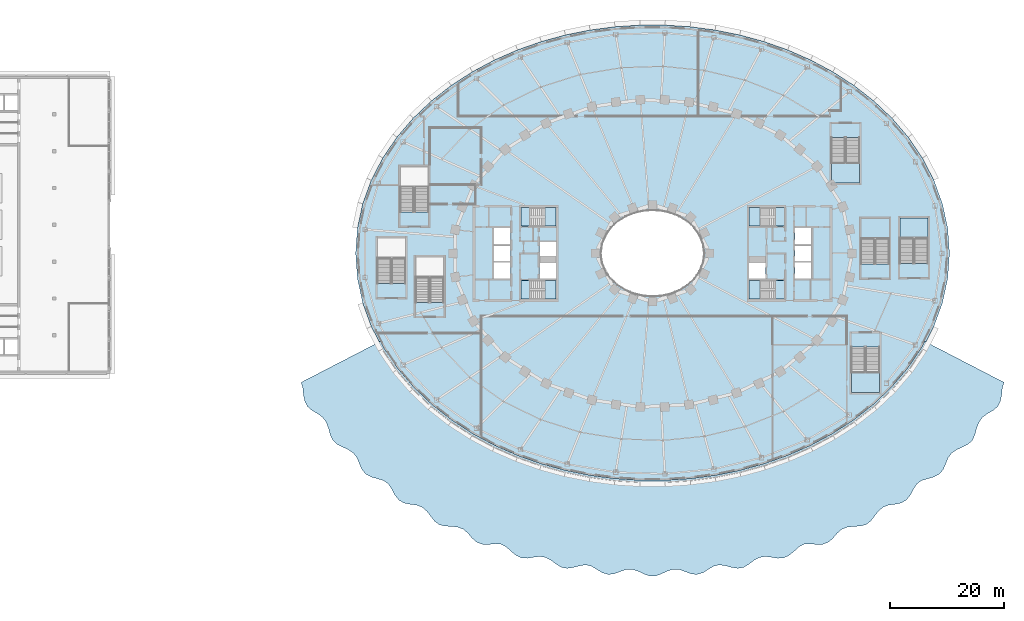
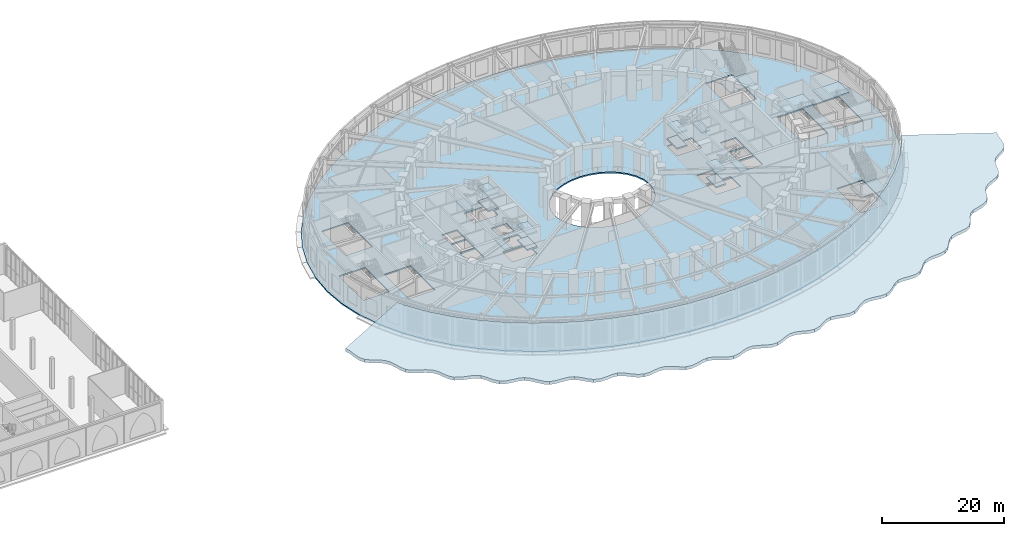
# One storey, part 16 of 74: 18 slabs, 8 elements without a shape of their own.
"""IFC4 building model written with IfcOpenShell, lengths in metres."""

from ifc_helpers import new_model, si_unit, direction, frame, origin, place, context, subcontext, project, spatial, polyline, outline, extrude, material, layer, layer_set, type_object, element, aggregate, save


model = new_model("IFC4")

# Units and contexts
model_context = context("Model", 3, precision=1e-05, world=origin(), true_north=direction((0.0, 1.0)))
body_context = subcontext(model_context, "Body", "Model", "MODEL_VIEW")
ifc_project = project(units=[si_unit("LENGTHUNIT", "METRE"), si_unit("AREAUNIT", "SQUARE_METRE"), si_unit("VOLUMEUNIT", "CUBIC_METRE"), si_unit("PLANEANGLEUNIT", "RADIAN"), si_unit("MASSUNIT", "GRAM", prefix="KILO")], contexts=[model_context])

# Site, building, storey
site_placement = place(None, origin())
site = spatial("IfcSite", under=ifc_project, at=site_placement, CompositionType="ELEMENT")
building_placement = place(site_placement, origin())
building = spatial("IfcBuilding", under=site, at=building_placement, Name="Noorbagh Ring Tower", CompositionType="ELEMENT")
storey_placement = place(building_placement, frame((0.0, 0.0, 7.5)))
storey = spatial("IfcBuildingStorey", under=building, at=storey_placement, Name="L01", CompositionType="ELEMENT", Elevation=7.5)

# Stair, slabs
ifc_material_1 = material(Name="Concrete C40/50", Category="concrete")
stair_type_1 = type_object("IfcStairType", Name="CORE-STAIR", PredefinedType="HALF_TURN_STAIR", material=ifc_material_1)
stair_1_placement = place(storey_placement, origin())
stair_1 = element("IfcStair", 1, at=stair_1_placement, inside=storey, type_object=stair_type_1, Name="L01 Exit stair ST1", PredefinedType="HALF_TURN_STAIR")
ifc_material_2 = material(Name="Concrete C40/50", Category="concrete")
ifc_layer_1 = layer(ifc_material_2, 0.300048828125)
ifc_layer_set_1 = layer_set([ifc_layer_1], Name="Concrete C40/50")
slab_type_1 = type_object("IfcSlabType", Name="CORE-STAIR-LANDING", PredefinedType="LANDING", material=ifc_layer_set_1)
slab_1_placement = place(storey_placement, frame((0.0, 0.0, 1.199951171875)))
slab_1 = element("IfcSlab", 2, at=slab_1_placement, type_object=slab_type_1, Name="ST1 landing 1", PredefinedType="LANDING", context=body_context, shape_type="SweptSolid", body=[
    extrude(outline(polyline([(-18.81005859375, 4.75), (-16.89990234375, 4.75), (-16.89990234375, 8.0), (-18.81005859375, 8.0), (-18.81005859375, 4.75)])), origin(), (0.0, 0.0, 1.0), 0.300048828125),
])
slab_2_placement = place(storey_placement, frame((0.0, 0.0, 2.699951171875)))
slab_2 = element("IfcSlab", 3, at=slab_2_placement, type_object=slab_type_1, Name="ST1 landing 2", PredefinedType="LANDING", context=body_context, shape_type="SweptSolid", body=[
    extrude(outline(polyline([(-23.080078125, 4.75), (-21.530029296875, 4.75), (-21.530029296875, 8.0), (-23.080078125, 8.0), (-23.080078125, 4.75)])), origin(), (0.0, 0.0, 1.0), 0.300048828125),
])
slab_3_placement = place(storey_placement, frame((0.0, 0.0, 4.199951171875)))
slab_3 = element("IfcSlab", 4, at=slab_3_placement, type_object=slab_type_1, Name="ST1 landing 3", PredefinedType="LANDING", context=body_context, shape_type="SweptSolid", body=[
    extrude(outline(polyline([(-18.81005859375, 4.75), (-16.89990234375, 4.75), (-16.89990234375, 8.0), (-18.81005859375, 8.0), (-18.81005859375, 4.75)])), origin(), (0.0, 0.0, 1.0), 0.300048828125),
])
aggregate(stair_1, [slab_1, slab_2, slab_3])

stair_2_placement = place(storey_placement, origin())
stair_2 = element("IfcStair", 5, at=stair_2_placement, inside=storey, type_object=stair_type_1, Name="L01 Exit stair ST2", PredefinedType="HALF_TURN_STAIR")
slab_4_placement = place(storey_placement, frame((0.0, 0.0, 1.199951171875)))
slab_4 = element("IfcSlab", 6, at=slab_4_placement, type_object=slab_type_1, Name="ST2 landing 1", PredefinedType="LANDING", context=body_context, shape_type="SweptSolid", body=[
    extrude(outline(polyline([(-18.81005859375, -8.0), (-16.89990234375, -8.0), (-16.89990234375, -4.75), (-18.81005859375, -4.75), (-18.81005859375, -8.0)])), origin(), (0.0, 0.0, 1.0), 0.300048828125),
])
slab_5_placement = place(storey_placement, frame((0.0, 0.0, 2.699951171875)))
slab_5 = element("IfcSlab", 7, at=slab_5_placement, type_object=slab_type_1, Name="ST2 landing 2", PredefinedType="LANDING", context=body_context, shape_type="SweptSolid", body=[
    extrude(outline(polyline([(-23.080078125, -8.0), (-21.530029296875, -8.0), (-21.530029296875, -4.75), (-23.080078125, -4.75), (-23.080078125, -8.0)])), origin(), (0.0, 0.0, 1.0), 0.300048828125),
])
slab_6_placement = place(storey_placement, frame((0.0, 0.0, 4.199951171875)))
slab_6 = element("IfcSlab", 8, at=slab_6_placement, type_object=slab_type_1, Name="ST2 landing 3", PredefinedType="LANDING", context=body_context, shape_type="SweptSolid", body=[
    extrude(outline(polyline([(-18.81005859375, -8.0), (-16.89990234375, -8.0), (-16.89990234375, -4.75), (-18.81005859375, -4.75), (-18.81005859375, -8.0)])), origin(), (0.0, 0.0, 1.0), 0.300048828125),
])
aggregate(stair_2, [slab_4, slab_5, slab_6])

stair_3_placement = place(storey_placement, origin())
stair_3 = element("IfcStair", 9, at=stair_3_placement, inside=storey, type_object=stair_type_1, Name="L01 Exit stair ST3", PredefinedType="HALF_TURN_STAIR")
slab_7_placement = place(storey_placement, frame((0.0, 0.0, 1.199951171875)))
slab_7 = element("IfcSlab", 10, at=slab_7_placement, type_object=slab_type_1, Name="ST3 landing 1", PredefinedType="LANDING", context=body_context, shape_type="SweptSolid", body=[
    extrude(outline(polyline([(18.81005859375, 8.0), (16.89990234375, 8.0), (16.89990234375, 4.75), (18.81005859375, 4.75), (18.81005859375, 8.0)])), origin(), (0.0, 0.0, 1.0), 0.300048828125),
])
slab_8_placement = place(storey_placement, frame((0.0, 0.0, 2.699951171875)))
slab_8 = element("IfcSlab", 11, at=slab_8_placement, type_object=slab_type_1, Name="ST3 landing 2", PredefinedType="LANDING", context=body_context, shape_type="SweptSolid", body=[
    extrude(outline(polyline([(23.080078125, 8.0), (21.530029296875, 8.0), (21.530029296875, 4.75), (23.080078125, 4.75), (23.080078125, 8.0)])), origin(), (0.0, 0.0, 1.0), 0.300048828125),
])
slab_9_placement = place(storey_placement, frame((0.0, 0.0, 4.199951171875)))
slab_9 = element("IfcSlab", 12, at=slab_9_placement, type_object=slab_type_1, Name="ST3 landing 3", PredefinedType="LANDING", context=body_context, shape_type="SweptSolid", body=[
    extrude(outline(polyline([(18.81005859375, 8.0), (16.89990234375, 8.0), (16.89990234375, 4.75), (18.81005859375, 4.75), (18.81005859375, 8.0)])), origin(), (0.0, 0.0, 1.0), 0.300048828125),
])
aggregate(stair_3, [slab_7, slab_8, slab_9])

stair_4_placement = place(storey_placement, origin())
stair_4 = element("IfcStair", 13, at=stair_4_placement, inside=storey, type_object=stair_type_1, Name="L01 Exit stair ST4", PredefinedType="HALF_TURN_STAIR")
slab_10_placement = place(storey_placement, frame((0.0, 0.0, 1.199951171875)))
slab_10 = element("IfcSlab", 14, at=slab_10_placement, type_object=slab_type_1, Name="ST4 landing 1", PredefinedType="LANDING", context=body_context, shape_type="SweptSolid", body=[
    extrude(outline(polyline([(18.81005859375, -4.75), (16.89990234375, -4.75), (16.89990234375, -8.0), (18.81005859375, -8.0), (18.81005859375, -4.75)])), origin(), (0.0, 0.0, 1.0), 0.300048828125),
])
slab_11_placement = place(storey_placement, frame((0.0, 0.0, 2.699951171875)))
slab_11 = element("IfcSlab", 15, at=slab_11_placement, type_object=slab_type_1, Name="ST4 landing 2", PredefinedType="LANDING", context=body_context, shape_type="SweptSolid", body=[
    extrude(outline(polyline([(23.080078125, -4.75), (21.530029296875, -4.75), (21.530029296875, -8.0), (23.080078125, -8.0), (23.080078125, -4.75)])), origin(), (0.0, 0.0, 1.0), 0.300048828125),
])
slab_12_placement = place(storey_placement, frame((0.0, 0.0, 4.199951171875)))
slab_12 = element("IfcSlab", 16, at=slab_12_placement, type_object=slab_type_1, Name="ST4 landing 3", PredefinedType="LANDING", context=body_context, shape_type="SweptSolid", body=[
    extrude(outline(polyline([(18.81005859375, -4.75), (16.89990234375, -4.75), (16.89990234375, -8.0), (18.81005859375, -8.0), (18.81005859375, -4.75)])), origin(), (0.0, 0.0, 1.0), 0.300048828125),
])
aggregate(stair_4, [slab_10, slab_11, slab_12])

# Slab
ifc_material_3 = material(Name="Concrete C40/50", Category="concrete")
ifc_layer_2 = layer(ifc_material_3, 0.60009765625)
ifc_layer_set_2 = layer_set([ifc_layer_2], Name="Concrete C40/50")
slab_type_2 = type_object("IfcSlabType", Name="GND-CANOPY-ROOF", PredefinedType="ROOF", material=ifc_layer_set_2)
slab_13_placement = place(storey_placement, frame((0.0, 0.0, 4.949951171875)))
element("IfcSlab", 17, at=slab_13_placement, inside=storey, type_object=slab_type_2, Name="Entrance canopy roof", PredefinedType="ROOF", context=body_context, shape_type="SweptSolid", body=[
    extrude(outline(polyline([(-61.54150390625, -22.589599609375), (-61.2568359375, -23.56982421875), (-61.143310546875, -24.74755859375), (-60.88818359375, -25.95751953125), (-60.40869140625, -26.851806640625), (-59.613037109375, -27.521728515625), (-58.650146484375, -28.077880859375), (-57.78271484375, -28.69921875), (-57.161865234375, -29.56103515625), (-56.744384765625, -30.654296875), (-56.4599609375, -31.730224609375), (-56.03369140625, -32.68408203125), (-55.316650390625, -33.388671875), (-54.3515625, -33.880126953125), (-53.28271484375, -34.37890625), (-52.3583984375, -34.994873046875), (-51.7529296875, -35.8125), (-51.33837890625, -36.831298828125), (-50.908935546875, -37.83447265625), (-50.268798828125, -38.614990234375), (-49.236083984375, -39.1728515625), (-48.09765625, -39.487060546875), (-47.0732421875, -39.802490234375), (-46.263916015625, -40.39306640625), (-45.68212890625, -41.27587890625), (-45.17919921875, -42.280517578125), (-44.407470703125, -43.21533203125), (-43.50830078125, -43.7294921875), (-42.44970703125, -43.9365234375), (-41.351318359375, -44.08203125), (-40.38232421875, -44.427490234375), (-39.574951171875, -45.11376953125), (-38.8466796875, -46.04541015625), (-38.17138671875, -46.907470703125), (-37.357177734375, -47.509033203125), (-36.3583984375, -47.7646484375), (-35.250732421875, -47.81640625), (-34.081787109375, -47.95068359375), (-33.12548828125, -48.319580078125), (-32.337158203125, -49.01611328125), (-31.614013671875, -49.863037109375), (-30.828857421875, -50.56689453125), (-29.820556640625, -50.943359375), (-28.648193359375, -50.9716796875), (-27.544921875, -50.8525390625), (-26.515869140625, -50.944580078125), (-25.6162109375, -51.406005859375), (-24.81640625, -52.15087890625), (-23.849365234375, -52.925537109375), (-22.9228515625, -53.352783203125), (-21.897216796875, -53.3984375), (-20.806884765625, -53.2080078125), (-19.733642578125, -53.07958984375), (-18.684814453125, -53.2666015625), (-17.728759765625, -53.783935546875), (-16.84228515625, -54.45703125), (-15.927978515625, -54.9931640625), (-14.94189453125, -55.1689453125), (-13.84765625, -54.997802734375), (-12.689697265625, -54.690673828125), (-11.6611328125, -54.552001953125), (-10.683349609375, -54.798095703125), (-9.746337890625, -55.353515625), (-8.813232421875, -55.938720703125), (-7.67333984375, -56.241943359375), (-6.658203125, -56.10107421875), (-5.62841796875, -55.701904296875), (-4.601806640625, -55.350341796875), (-3.59619140625, -55.3203125), (-2.541259765625, -55.65771484375), (-1.502197265625, -56.152099609375), (-0.500732421875, -56.5126953125), (0.500732421875, -56.5126953125), (1.502197265625, -56.152099609375), (2.541259765625, -55.65771484375), (3.59619140625, -55.3203125), (4.601806640625, -55.350341796875), (5.62841796875, -55.701904296875), (6.658203125, -56.10107421875), (7.67333984375, -56.241943359375), (8.813232421875, -55.938720703125), (9.746337890625, -55.353515625), (10.683349609375, -54.798095703125), (11.6611328125, -54.552001953125), (12.689697265625, -54.690673828125), (13.84765625, -54.997802734375), (14.94189453125, -55.1689453125), (15.927978515625, -54.9931640625), (16.84228515625, -54.45703125), (17.728759765625, -53.783935546875), (18.684814453125, -53.2666015625), (19.733642578125, -53.07958984375), (20.806884765625, -53.2080078125), (21.897216796875, -53.3984375), (22.9228515625, -53.352783203125), (23.849365234375, -52.925537109375), (24.81640625, -52.15087890625), (25.6162109375, -51.406005859375), (26.515869140625, -50.944580078125), (27.544921875, -50.8525390625), (28.648193359375, -50.9716796875), (29.820556640625, -50.943359375), (30.828857421875, -50.56689453125), (31.614013671875, -49.863037109375), (32.337158203125, -49.01611328125), (33.12548828125, -48.319580078125), (34.081787109375, -47.95068359375), (35.250732421875, -47.81640625), (36.3583984375, -47.7646484375), (37.357177734375, -47.509033203125), (38.17138671875, -46.907470703125), (38.8466796875, -46.04541015625), (39.574951171875, -45.11376953125), (40.38232421875, -44.427490234375), (41.351318359375, -44.08203125), (42.44970703125, -43.9365234375), (43.50830078125, -43.7294921875), (44.407470703125, -43.21533203125), (45.17919921875, -42.280517578125), (45.68212890625, -41.27587890625), (46.263916015625, -40.39306640625), (47.0732421875, -39.802490234375), (48.09765625, -39.487060546875), (49.236083984375, -39.1728515625), (50.268798828125, -38.614990234375), (50.908935546875, -37.83447265625), (51.33837890625, -36.831298828125), (51.7529296875, -35.8125), (52.3583984375, -34.994873046875), (53.28271484375, -34.37890625), (54.3515625, -33.880126953125), (55.316650390625, -33.388671875), (56.03369140625, -32.68408203125), (56.4599609375, -31.730224609375), (56.744384765625, -30.654296875), (57.161865234375, -29.56103515625), (57.78271484375, -28.69921875), (58.650146484375, -28.077880859375), (59.613037109375, -27.521728515625), (60.40869140625, -26.851806640625), (60.88818359375, -25.95751953125), (61.143310546875, -24.74755859375), (61.2568359375, -23.56982421875), (61.54150390625, -22.589599609375), (47.6396484375, -15.402099609375), (47.1796875, -16.2919921875), (47.028076171875, -16.585205078125), (47.028076171875, -16.585205078125), (46.489013671875, -17.376953125), (45.925537109375, -18.204833984375), (45.362060546875, -19.032958984375), (44.79833984375, -19.86083984375), (44.571044921875, -20.19482421875), (44.56640625, -20.199951171875), (43.914306640625, -20.9599609375), (43.26171875, -21.719970703125), (42.609375, -22.479736328125), (41.95703125, -23.23974609375), (41.725341796875, -23.509521484375), (41.598388671875, -23.6298828125), (40.87109375, -24.318603515625), (40.143798828125, -25.007080078125), (39.41650390625, -25.69580078125), (38.689208984375, -26.38427734375), (38.551025390625, -26.514892578125), (38.196044921875, -26.791748046875), (37.40625, -27.40771484375), (36.61669921875, -28.023681640625), (35.826904296875, -28.6396484375), (35.102783203125, -29.204345703125), (35.102783203125, -29.204345703125), (34.414306640625, -29.649169921875), (33.572998046875, -30.1923828125), (32.731689453125, -30.73583984375), (31.89013671875, -31.279296875), (31.427734375, -31.577880859375), (31.19140625, -31.7041015625), (30.3076171875, -32.17578125), (29.42431640625, -32.6474609375), (28.54052734375, -33.119140625), (27.656982421875, -33.5908203125), (27.56689453125, -33.638916015625), (26.84716796875, -33.953369140625), (25.929443359375, -34.3544921875), (25.01171875, -34.755615234375), (24.093994140625, -35.156494140625), (23.555419921875, -35.391845703125), (23.218994140625, -35.510009765625), (22.274169921875, -35.841796875), (21.3291015625, -36.173583984375), (20.384033203125, -36.505615234375), (19.439208984375, -36.83740234375), (19.424072265625, -36.842529296875), (18.485107421875, -37.09912109375), (17.518798828125, -37.36279296875), (16.552490234375, -37.626708984375), (15.58642578125, -37.890380859375), (15.19921875, -37.99609375), (14.58837890625, -38.11865234375), (13.6064453125, -38.3154296875), (12.62451171875, -38.51220703125), (11.642333984375, -38.709228515625), (10.90478515625, -38.85693359375), (10.60986328125, -38.89599609375), (9.61669921875, -39.026611328125), (8.623779296875, -39.157470703125), (7.630859375, -39.2880859375), (6.637939453125, -39.4189453125), (6.561767578125, -39.428955078125), (5.57421875, -39.493408203125), (4.574951171875, -39.55859375), (3.575439453125, -39.623779296875), (2.575927734375, -39.689208984375), (2.1904296875, -39.714111328125), (1.502197265625, -39.714111328125), (0.500732421875, -39.714111328125), (-0.500732421875, -39.714111328125), (-1.502197265625, -39.714111328125), (-2.1904296875, -39.714111328125), (-2.575927734375, -39.689208984375), (-3.575439453125, -39.623779296875), (-4.574951171875, -39.55859375), (-5.57421875, -39.493408203125), (-6.561767578125, -39.428955078125), (-6.637939453125, -39.4189453125), (-7.630859375, -39.2880859375), (-8.623779296875, -39.157470703125), (-9.61669921875, -39.026611328125), (-10.60986328125, -38.89599609375), (-10.90478515625, -38.85693359375), (-11.642333984375, -38.709228515625), (-12.62451171875, -38.51220703125), (-13.6064453125, -38.3154296875), (-14.58837890625, -38.11865234375), (-15.19921875, -37.99609375), (-15.58642578125, -37.890380859375), (-16.552490234375, -37.626708984375), (-17.518798828125, -37.36279296875), (-18.485107421875, -37.09912109375), (-19.424072265625, -36.842529296875), (-19.439208984375, -36.83740234375), (-20.384033203125, -36.505615234375), (-21.3291015625, -36.173583984375), (-22.274169921875, -35.841796875), (-23.218994140625, -35.510009765625), (-23.555419921875, -35.391845703125), (-24.093994140625, -35.156494140625), (-25.01171875, -34.755615234375), (-25.929443359375, -34.3544921875), (-26.84716796875, -33.953369140625), (-27.56689453125, -33.638916015625), (-27.656982421875, -33.5908203125), (-28.54052734375, -33.119140625), (-29.42431640625, -32.6474609375), (-30.3076171875, -32.17578125), (-31.19140625, -31.7041015625), (-31.427734375, -31.577880859375), (-31.89013671875, -31.279296875), (-32.731689453125, -30.73583984375), (-33.572998046875, -30.1923828125), (-34.414306640625, -29.649169921875), (-35.102783203125, -29.204345703125), (-35.102783203125, -29.204345703125), (-35.826904296875, -28.6396484375), (-36.61669921875, -28.023681640625), (-37.40625, -27.40771484375), (-38.196044921875, -26.791748046875), (-38.551025390625, -26.514892578125), (-38.689208984375, -26.38427734375), (-39.41650390625, -25.69580078125), (-40.143798828125, -25.007080078125), (-40.87109375, -24.318603515625), (-41.598388671875, -23.6298828125), (-41.725341796875, -23.509521484375), (-41.95703125, -23.23974609375), (-42.609375, -22.479736328125), (-43.26171875, -21.719970703125), (-43.914306640625, -20.9599609375), (-44.56640625, -20.199951171875), (-44.571044921875, -20.19482421875), (-44.79833984375, -19.86083984375), (-45.362060546875, -19.032958984375), (-45.925537109375, -18.204833984375), (-46.489013671875, -17.376953125), (-47.028076171875, -16.585205078125), (-47.028076171875, -16.585205078125), (-47.1796875, -16.2919921875), (-47.6396484375, -15.402099609375), (-61.54150390625, -22.589599609375)])), origin(), (0.0, 0.0, 1.0), 0.60009765625),
])

# Stair, slab
ifc_material_4 = material(Name="Concrete C40/50", Category="concrete")
stair_type_2 = type_object("IfcStairType", Name="GND-STAIR", PredefinedType="HALF_TURN_STAIR", material=ifc_material_4)
stair_5_placement = place(storey_placement, origin())
stair_5 = element("IfcStair", 18, at=stair_5_placement, inside=storey, type_object=stair_type_2, Name="L01 exit stair ST-P2", PredefinedType="HALF_TURN_STAIR")
ifc_material_5 = material(Name="Concrete C40/50", Category="concrete")
ifc_layer_3 = layer(ifc_material_5, 0.25)
ifc_layer_set_3 = layer_set([ifc_layer_3], Name="Concrete C40/50")
slab_type_3 = type_object("IfcSlabType", Name="GND-STAIR-LANDING", PredefinedType="LANDING", material=ifc_layer_set_3)
slab_14_placement = place(storey_placement, frame((0.0, 0.0, 2.75)))
slab_14 = element("IfcSlab", 19, at=slab_14_placement, type_object=slab_type_3, Name="ST-P2 landing 1", PredefinedType="LANDING", context=body_context, shape_type="SweptSolid", body=[
    extrude(outline(polyline([(41.449951171875, 2.580078125), (41.449951171875, 6.10009765625), (36.5, 6.10009765625), (36.5, 2.580078125), (41.449951171875, 2.580078125)])), origin(), (0.0, 0.0, 1.0), 0.25),
])
aggregate(stair_5, [slab_14])

stair_6_placement = place(storey_placement, origin())
stair_6 = element("IfcStair", 20, at=stair_6_placement, inside=storey, type_object=stair_type_2, Name="L01 exit stair ST-P4", PredefinedType="HALF_TURN_STAIR")
slab_15_placement = place(storey_placement, frame((0.0, 0.0, 2.75)))
slab_15 = element("IfcSlab", 21, at=slab_15_placement, type_object=slab_type_3, Name="ST-P4 landing 1", PredefinedType="LANDING", context=body_context, shape_type="SweptSolid", body=[
    extrude(outline(polyline([(48.25, 2.679931640625), (48.25, 6.199951171875), (43.300048828125, 6.199951171875), (43.300048828125, 2.679931640625), (48.25, 2.679931640625)])), origin(), (0.0, 0.0, 1.0), 0.25),
])
aggregate(stair_6, [slab_15])

stair_7_placement = place(storey_placement, origin())
stair_7 = element("IfcStair", 22, at=stair_7_placement, inside=storey, type_object=stair_type_2, Name="L01 exit stair ST-P5", PredefinedType="HALF_TURN_STAIR")
slab_16_placement = place(storey_placement, frame((0.0, 0.0, 2.75)))
slab_16 = element("IfcSlab", 23, at=slab_16_placement, type_object=slab_type_3, Name="ST-P5 landing 1", PredefinedType="LANDING", context=body_context, shape_type="SweptSolid", body=[
    extrude(outline(polyline([(31.300048828125, 15.820068359375), (31.300048828125, 12.300048828125), (36.25, 12.300048828125), (36.25, 15.820068359375), (31.300048828125, 15.820068359375)])), origin(), (0.0, 0.0, 1.0), 0.25),
])
aggregate(stair_7, [slab_16])

stair_8_placement = place(storey_placement, origin())
stair_8 = element("IfcStair", 24, at=stair_8_placement, inside=storey, type_object=stair_type_2, Name="L01 exit stair ST-P6", PredefinedType="HALF_TURN_STAIR")
slab_17_placement = place(storey_placement, frame((0.0, 0.0, 2.75)))
slab_17 = element("IfcSlab", 25, at=slab_17_placement, type_object=slab_type_3, Name="ST-P6 landing 1", PredefinedType="LANDING", context=body_context, shape_type="SweptSolid", body=[
    extrude(outline(polyline([(34.800048828125, -20.8798828125), (34.800048828125, -24.39990234375), (39.75, -24.39990234375), (39.75, -20.8798828125), (34.800048828125, -20.8798828125)])), origin(), (0.0, 0.0, 1.0), 0.25),
])
aggregate(stair_8, [slab_17])

# Slab
ifc_material_6 = material(Name="Concrete C40/50", Category="concrete")
ifc_layer_4 = layer(ifc_material_6, 0.25)
ifc_layer_set_4 = layer_set([ifc_layer_4], Name="Concrete C40/50")
slab_type_4 = type_object("IfcSlabType", Name="STR-PODIUM-DECK-250", PredefinedType="FLOOR", material=ifc_layer_set_4)
slab_18_placement = place(storey_placement, frame((0.0, 0.0, -0.25)))
element("IfcSlab", 26, at=slab_18_placement, inside=storey, type_object=slab_type_4, Name="L01/slab/1", PredefinedType="FLOOR", context=body_context, shape_type="SweptSolid", body=[
    extrude(outline(polyline([(52.0, 0.0), (51.68701171875, 4.383056640625), (50.76123046875, 8.6787109375), (49.261474609375, 12.809326171875), (47.2431640625, 16.713623046875), (44.769775390625, 20.346923828125), (41.906494140625, 23.682373046875), (38.71435546875, 26.70458984375), (35.247802734375, 29.408447265625), (31.5546875, 31.793701171875), (27.676025390625, 33.864013671875), (23.647216796875, 35.624755859375), (19.49853515625, 37.08154296875), (15.2568359375, 38.239501953125), (10.945556640625, 39.103759765625), (6.586181640625, 39.677734375), (2.198486328125, 39.964111328125), (-2.198486328125, 39.964111328125), (-6.586181640625, 39.677734375), (-10.945556640625, 39.103759765625), (-15.2568359375, 38.239501953125), (-19.49853515625, 37.08154296875), (-23.647216796875, 35.624755859375), (-27.676025390625, 33.864013671875), (-31.5546875, 31.793701171875), (-35.247802734375, 29.408447265625), (-38.71435546875, 26.70458984375), (-41.906494140625, 23.682373046875), (-44.769775390625, 20.346923828125), (-47.2431640625, 16.713623046875), (-49.261474609375, 12.809326171875), (-50.76123046875, 8.6787109375), (-51.68701171875, 4.383056640625), (-52.0, 0.0), (-51.68701171875, -4.383056640625), (-50.76123046875, -8.6787109375), (-49.261474609375, -12.809326171875), (-47.2431640625, -16.713623046875), (-44.769775390625, -20.346923828125), (-41.906494140625, -23.682373046875), (-38.71435546875, -26.70458984375), (-35.247802734375, -29.408447265625), (-31.5546875, -31.793701171875), (-27.676025390625, -33.864013671875), (-23.647216796875, -35.624755859375), (-19.49853515625, -37.08154296875), (-15.2568359375, -38.239501953125), (-10.945556640625, -39.103759765625), (-6.586181640625, -39.677734375), (-2.198486328125, -39.964111328125), (2.198486328125, -39.964111328125), (6.586181640625, -39.677734375), (10.945556640625, -39.103759765625), (15.2568359375, -38.239501953125), (19.49853515625, -37.08154296875), (23.647216796875, -35.624755859375), (27.676025390625, -33.864013671875), (31.5546875, -31.793701171875), (35.247802734375, -29.408447265625), (38.71435546875, -26.70458984375), (41.906494140625, -23.682373046875), (44.769775390625, -20.346923828125), (47.2431640625, -16.713623046875), (49.261474609375, -12.809326171875), (50.76123046875, -8.6787109375), (51.68701171875, -4.383056640625), (52.0, 0.0)]), holes=[polyline([(43.300048828125, 6.199951171875), (48.25, 6.199951171875), (48.25, -1.799560546875), (43.300048828125, -1.799560546875), (43.300048828125, 6.199951171875)]), polyline([(36.5, 6.10009765625), (41.449951171875, 6.10009765625), (41.449951171875, -1.8994140625), (36.5, -1.8994140625), (36.5, 6.10009765625)]), polyline([(39.75, -16.400390625), (39.75, -24.39990234375), (34.800048828125, -24.39990234375), (34.800048828125, -16.400390625), (39.75, -16.400390625)]), polyline([(36.25, 12.300048828125), (31.300048828125, 12.300048828125), (31.300048828125, 20.299560546875), (36.25, 20.299560546875), (36.25, 12.300048828125)]), polyline([(27.800048828125, -1.60009765625), (27.800048828125, -4.449951171875), (24.89990234375, -4.449951171875), (24.89990234375, -1.60009765625), (27.800048828125, -1.60009765625)]), polyline([(24.89990234375, 4.449951171875), (27.800048828125, 4.449951171875), (27.800048828125, 1.60009765625), (24.89990234375, 1.60009765625), (24.89990234375, 4.449951171875)]), polyline([(24.89990234375, 1.35009765625), (27.800048828125, 1.35009765625), (27.800048828125, -1.35009765625), (24.89990234375, -1.35009765625), (24.89990234375, 1.35009765625)]), polyline([(21.529541015625, -8.0), (16.89990234375, -8.0), (16.89990234375, -4.75), (21.529541015625, -4.75), (21.529541015625, -8.0)]), polyline([(16.89990234375, 4.75), (16.89990234375, 8.0), (21.529541015625, 8.0), (21.529541015625, 4.75), (16.89990234375, 4.75)]), polyline([(19.800048828125, -1.699951171875), (19.800048828125, -4.449951171875), (16.89990234375, -4.449951171875), (16.89990234375, -1.699951171875), (19.800048828125, -1.699951171875)]), polyline([(4.697509765625, -6.3974609375), (3.196533203125, -7.010986328125), (1.6171875, -7.3779296875), (0.0, -7.5), (-1.6171875, -7.3779296875), (-3.196533203125, -7.010986328125), (-4.697509765625, -6.3974609375), (-6.071044921875, -5.53662109375), (-7.2587890625, -4.43408203125), (-8.1904296875, -3.10888671875), (-8.79150390625, -1.605224609375), (-9.0, 0.0), (-8.79150390625, 1.605224609375), (-8.1904296875, 3.10888671875), (-7.2587890625, 4.43408203125), (-6.071044921875, 5.53662109375), (-4.697509765625, 6.3974609375), (-3.196533203125, 7.010986328125), (-1.6171875, 7.3779296875), (0.0, 7.5), (1.6171875, 7.3779296875), (3.196533203125, 7.010986328125), (4.697509765625, 6.3974609375), (6.071044921875, 5.53662109375), (7.2587890625, 4.43408203125), (8.1904296875, 3.10888671875), (8.79150390625, 1.605224609375), (9.0, 0.0), (8.79150390625, -1.605224609375), (8.1904296875, -3.10888671875), (7.2587890625, -4.43408203125), (6.071044921875, -5.53662109375), (4.697509765625, -6.3974609375)]), polyline([(-16.89990234375, 8.0), (-16.89990234375, 4.75), (-21.529541015625, 4.75), (-21.529541015625, 8.0), (-16.89990234375, 8.0)]), polyline([(-16.89990234375, -0.449951171875), (-19.800048828125, -0.449951171875), (-19.800048828125, 2.0), (-16.89990234375, 2.0), (-16.89990234375, -0.449951171875)]), polyline([(-16.89990234375, -4.449951171875), (-19.800048828125, -4.449951171875), (-19.800048828125, -1.699951171875), (-16.89990234375, -1.699951171875), (-16.89990234375, -4.449951171875)]), polyline([(-21.529541015625, -4.75), (-16.89990234375, -4.75), (-16.89990234375, -8.0), (-21.529541015625, -8.0), (-21.529541015625, -4.75)]), polyline([(-24.89990234375, -1.35009765625), (-27.800048828125, -1.35009765625), (-27.800048828125, 1.35009765625), (-24.89990234375, 1.35009765625), (-24.89990234375, -1.35009765625)]), polyline([(-27.800048828125, 1.60009765625), (-27.800048828125, 4.449951171875), (-24.89990234375, 4.449951171875), (-24.89990234375, 1.60009765625), (-27.800048828125, 1.60009765625)]), polyline([(-27.800048828125, -4.449951171875), (-27.800048828125, -1.60009765625), (-24.89990234375, -1.60009765625), (-24.89990234375, -4.449951171875), (-27.800048828125, -4.449951171875)]), polyline([(-41.5, -8.599609375), (-41.5, -0.60009765625), (-36.550048828125, -0.60009765625), (-36.550048828125, -8.599609375), (-41.5, -8.599609375)]), polyline([(-44.199951171875, 7.200439453125), (-44.199951171875, 15.199951171875), (-39.25, 15.199951171875), (-39.25, 7.200439453125), (-44.199951171875, 7.200439453125)]), polyline([(-48.199951171875, 2.699951171875), (-43.25, 2.699951171875), (-43.25, -5.299560546875), (-48.199951171875, -5.299560546875), (-48.199951171875, 2.699951171875)])]), origin(), (0.0, 0.0, 1.0), 0.25),
])

save(model, "model.ifc")
